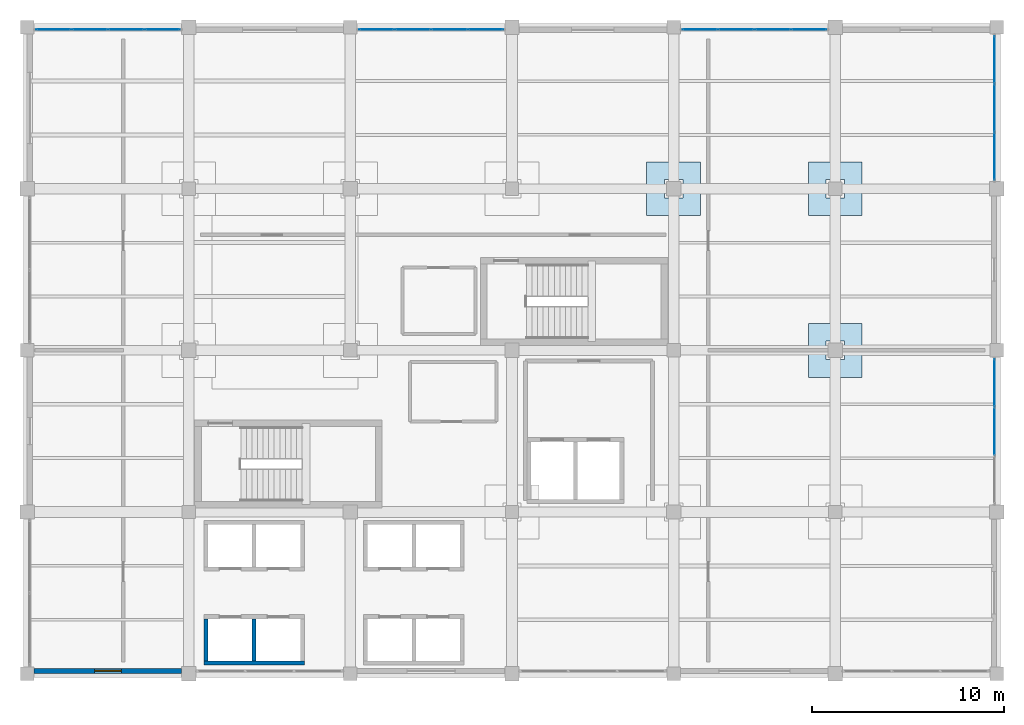
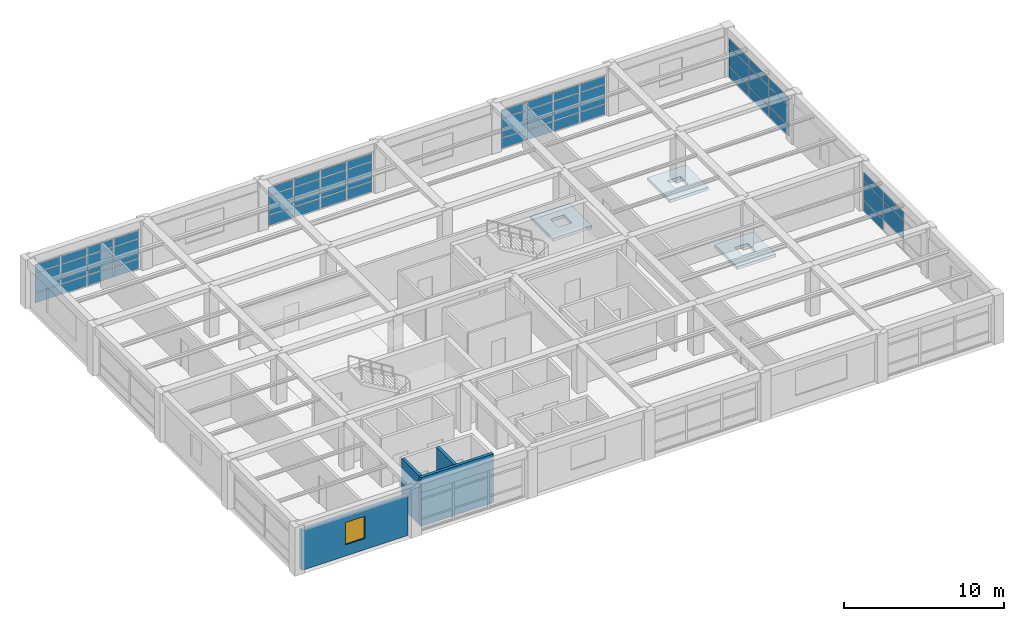
# One storey, part 27 of 31: 50 plates, 4 walls, 3 slabs, 1 window, 1 opening, 5 elements without a shape of their own.
"""IFC4 building model written with IfcOpenShell, lengths in metres."""

from ifc_helpers import new_model, si_unit, direction, frame, frame_2d, origin, origin_2d, place, context, subcontext, project, spatial, polyline, rectangle, outline, extrude, material, layer, layer_set, type_object, element, fill, aggregate, save


model = new_model("IFC4")

# Units and contexts
model_context = context("Model", 3, precision=1e-05, world=origin(), true_north=direction((0.0, 1.0)))
body_context = subcontext(model_context, "Body", "Model", "MODEL_VIEW")
ifc_project = project(units=[si_unit("LENGTHUNIT", "METRE"), si_unit("AREAUNIT", "SQUARE_METRE"), si_unit("VOLUMEUNIT", "CUBIC_METRE"), si_unit("PLANEANGLEUNIT", "RADIAN"), si_unit("MASSUNIT", "GRAM", prefix="KILO")], contexts=[model_context])

# Site, building, storey
site_placement = place(None, origin())
site = spatial("IfcSite", under=ifc_project, at=site_placement, CompositionType="ELEMENT")
building_placement = place(site_placement, origin())
building = spatial("IfcBuilding", under=site, at=building_placement, Name="Almacenes y Pasaje Nevantli", CompositionType="ELEMENT")
storey_placement = place(building_placement, frame((0.0, 0.0, 34.699951171875)))
storey = spatial("IfcBuildingStorey", under=building, at=storey_placement, Name="L08", CompositionType="ELEMENT", Elevation=34.699951171875)

# Curtain wall, plates
ifc_material_1 = material(Name="Thermally Broken Aluminium and Low-E Glass", Category="aluminium")
curtain_wall_type = type_object("IfcCurtainWallType", Name="CW-UNIT-TOWER", PredefinedType="USERDEFINED", material=ifc_material_1)
curtain_wall_1_placement = place(storey_placement, origin())
curtain_wall_1 = element("IfcCurtainWall", 1, at=curtain_wall_1_placement, inside=storey, type_object=curtain_wall_type, Name="L08 Tower North Boulevard Unitized Curtain Wall Bay 14", ObjectType="UNITIZED CURTAIN WALL", PredefinedType="USERDEFINED")
ifc_material_2 = material(Name="Acoustic Tempered Low-E Triple Glazed Unit", Category="glass")
ifc_layer_1 = layer(ifc_material_2, 0.0419921875)
ifc_layer_set_1 = layer_set([ifc_layer_1], Name="Acoustic Tempered Low-E Triple Glazed Unit")
plate_type = type_object("IfcPlateType", Name="PL-IGU-42", PredefinedType="CURTAIN_PANEL", material=ifc_layer_set_1)
plate_1_placement = place(storey_placement, frame((110.566162109375, 100.679931640625, 0.065185546875), z_axis=(0.0, 0.0, 1.0), x_axis=(1.0, 0.0, 0.0)))
plate_1 = element("IfcPlate", 2, at=plate_1_placement, type_object=plate_type, Name="CW-L08-121 panel 1.1", PredefinedType="CURTAIN_PANEL", context=body_context, shape_type="SweptSolid", body=[
    extrude(rectangle(XDim=1.802490234375, YDim=0.0419921875, at=origin_2d()), origin(), (0.0, 0.0, 1.0), 0.75244140625),
])
plate_2_placement = place(storey_placement, frame((110.566162109375, 100.679931640625, 0.882568359375), z_axis=(0.0, 0.0, 1.0), x_axis=(1.0, 0.0, 0.0)))
plate_2 = element("IfcPlate", 3, at=plate_2_placement, type_object=plate_type, Name="CW-L08-121 panel 1.2", PredefinedType="CURTAIN_PANEL", context=body_context, shape_type="SweptSolid", body=[
    extrude(rectangle(XDim=1.802490234375, YDim=0.0419921875, at=origin_2d()), origin(), (0.0, 0.0, 1.0), 1.43505859375),
])
plate_3_placement = place(storey_placement, frame((110.566162109375, 100.679931640625, 2.38232421875), z_axis=(0.0, 0.0, 1.0), x_axis=(1.0, 0.0, 0.0)))
plate_3 = element("IfcPlate", 4, at=plate_3_placement, type_object=plate_type, Name="CW-L08-121 panel 1.3", PredefinedType="CURTAIN_PANEL", context=body_context, shape_type="SweptSolid", body=[
    extrude(rectangle(XDim=1.802490234375, YDim=0.0419921875, at=origin_2d()), origin(), (0.0, 0.0, 1.0), 0.592529296875),
])
plate_4_placement = place(storey_placement, frame((112.449951171875, 100.679931640625, 0.065185546875), z_axis=(0.0, 0.0, 1.0), x_axis=(1.0, 0.0, 0.0)))
plate_4 = element("IfcPlate", 5, at=plate_4_placement, type_object=plate_type, Name="CW-L08-121 panel 2.1", PredefinedType="CURTAIN_PANEL", context=body_context, shape_type="SweptSolid", body=[
    extrude(rectangle(XDim=1.8349609375, YDim=0.0419921875, at=origin_2d()), origin(), (0.0, 0.0, 1.0), 0.75244140625),
])
plate_5_placement = place(storey_placement, frame((112.449951171875, 100.679931640625, 0.882568359375), z_axis=(0.0, 0.0, 1.0), x_axis=(1.0, 0.0, 0.0)))
plate_5 = element("IfcPlate", 6, at=plate_5_placement, type_object=plate_type, Name="CW-L08-121 panel 2.2", PredefinedType="CURTAIN_PANEL", context=body_context, shape_type="SweptSolid", body=[
    extrude(rectangle(XDim=1.8349609375, YDim=0.0419921875, at=origin_2d()), origin(), (0.0, 0.0, 1.0), 1.43505859375),
])
plate_6_placement = place(storey_placement, frame((112.449951171875, 100.679931640625, 2.38232421875), z_axis=(0.0, 0.0, 1.0), x_axis=(1.0, 0.0, 0.0)))
plate_6 = element("IfcPlate", 7, at=plate_6_placement, type_object=plate_type, Name="CW-L08-121 panel 2.3", PredefinedType="CURTAIN_PANEL", context=body_context, shape_type="SweptSolid", body=[
    extrude(rectangle(XDim=1.8349609375, YDim=0.0419921875, at=origin_2d()), origin(), (0.0, 0.0, 1.0), 0.592529296875),
])
plate_7_placement = place(storey_placement, frame((114.35009765625, 100.679931640625, 0.065185546875), z_axis=(0.0, 0.0, 1.0), x_axis=(1.0, 0.0, 0.0)))
plate_7 = element("IfcPlate", 8, at=plate_7_placement, type_object=plate_type, Name="CW-L08-121 panel 3.1", PredefinedType="CURTAIN_PANEL", context=body_context, shape_type="SweptSolid", body=[
    extrude(rectangle(XDim=1.8349609375, YDim=0.0419921875, at=origin_2d()), origin(), (0.0, 0.0, 1.0), 0.75244140625),
])
plate_8_placement = place(storey_placement, frame((114.35009765625, 100.679931640625, 0.882568359375), z_axis=(0.0, 0.0, 1.0), x_axis=(1.0, 0.0, 0.0)))
plate_8 = element("IfcPlate", 9, at=plate_8_placement, type_object=plate_type, Name="CW-L08-121 panel 3.2", PredefinedType="CURTAIN_PANEL", context=body_context, shape_type="SweptSolid", body=[
    extrude(rectangle(XDim=1.8349609375, YDim=0.0419921875, at=origin_2d()), origin(), (0.0, 0.0, 1.0), 1.43505859375),
])
plate_9_placement = place(storey_placement, frame((114.35009765625, 100.679931640625, 2.38232421875), z_axis=(0.0, 0.0, 1.0), x_axis=(1.0, 0.0, 0.0)))
plate_9 = element("IfcPlate", 10, at=plate_9_placement, type_object=plate_type, Name="CW-L08-121 panel 3.3", PredefinedType="CURTAIN_PANEL", context=body_context, shape_type="SweptSolid", body=[
    extrude(rectangle(XDim=1.8349609375, YDim=0.0419921875, at=origin_2d()), origin(), (0.0, 0.0, 1.0), 0.592529296875),
])
plate_10_placement = place(storey_placement, frame((116.233642578125, 100.679931640625, 0.065185546875), z_axis=(0.0, 0.0, 1.0), x_axis=(1.0, 0.0, 0.0)))
plate_10 = element("IfcPlate", 11, at=plate_10_placement, type_object=plate_type, Name="CW-L08-121 panel 4.1", PredefinedType="CURTAIN_PANEL", context=body_context, shape_type="SweptSolid", body=[
    extrude(rectangle(XDim=1.802490234375, YDim=0.0419921875, at=origin_2d()), origin(), (0.0, 0.0, 1.0), 0.75244140625),
])
plate_11_placement = place(storey_placement, frame((116.233642578125, 100.679931640625, 0.882568359375), z_axis=(0.0, 0.0, 1.0), x_axis=(1.0, 0.0, 0.0)))
plate_11 = element("IfcPlate", 12, at=plate_11_placement, type_object=plate_type, Name="CW-L08-121 panel 4.2", PredefinedType="CURTAIN_PANEL", context=body_context, shape_type="SweptSolid", body=[
    extrude(rectangle(XDim=1.802490234375, YDim=0.0419921875, at=origin_2d()), origin(), (0.0, 0.0, 1.0), 1.43505859375),
])
plate_12_placement = place(storey_placement, frame((116.233642578125, 100.679931640625, 2.38232421875), z_axis=(0.0, 0.0, 1.0), x_axis=(1.0, 0.0, 0.0)))
plate_12 = element("IfcPlate", 13, at=plate_12_placement, type_object=plate_type, Name="CW-L08-121 panel 4.3", PredefinedType="CURTAIN_PANEL", context=body_context, shape_type="SweptSolid", body=[
    extrude(rectangle(XDim=1.802490234375, YDim=0.0419921875, at=origin_2d()), origin(), (0.0, 0.0, 1.0), 0.592529296875),
])
aggregate(curtain_wall_1, [plate_1, plate_2, plate_3, plate_4, plate_5, plate_6, plate_7, plate_8, plate_9, plate_10, plate_11, plate_12])

curtain_wall_2_placement = place(storey_placement, origin())
curtain_wall_2 = element("IfcCurtainWall", 14, at=curtain_wall_2_placement, inside=storey, type_object=curtain_wall_type, Name="L08 Tower North Boulevard Unitized Curtain Wall Bay 16", ObjectType="UNITIZED CURTAIN WALL", PredefinedType="USERDEFINED")
plate_13_placement = place(storey_placement, frame((127.3662109375, 100.679931640625, 0.065185546875), z_axis=(0.0, 0.0, 1.0), x_axis=(1.0, 0.0, 0.0)))
plate_13 = element("IfcPlate", 15, at=plate_13_placement, type_object=plate_type, Name="CW-L08-123 panel 1.1", PredefinedType="CURTAIN_PANEL", context=body_context, shape_type="SweptSolid", body=[
    extrude(rectangle(XDim=1.802490234375, YDim=0.0419921875, at=origin_2d()), origin(), (0.0, 0.0, 1.0), 0.75244140625),
])
plate_14_placement = place(storey_placement, frame((127.3662109375, 100.679931640625, 0.882568359375), z_axis=(0.0, 0.0, 1.0), x_axis=(1.0, 0.0, 0.0)))
plate_14 = element("IfcPlate", 16, at=plate_14_placement, type_object=plate_type, Name="CW-L08-123 panel 1.2", PredefinedType="CURTAIN_PANEL", context=body_context, shape_type="SweptSolid", body=[
    extrude(rectangle(XDim=1.802490234375, YDim=0.0419921875, at=origin_2d()), origin(), (0.0, 0.0, 1.0), 1.43505859375),
])
plate_15_placement = place(storey_placement, frame((127.3662109375, 100.679931640625, 2.38232421875), z_axis=(0.0, 0.0, 1.0), x_axis=(1.0, 0.0, 0.0)))
plate_15 = element("IfcPlate", 17, at=plate_15_placement, type_object=plate_type, Name="CW-L08-123 panel 1.3", PredefinedType="CURTAIN_PANEL", context=body_context, shape_type="SweptSolid", body=[
    extrude(rectangle(XDim=1.802490234375, YDim=0.0419921875, at=origin_2d()), origin(), (0.0, 0.0, 1.0), 0.592529296875),
])
plate_16_placement = place(storey_placement, frame((129.25, 100.679931640625, 0.065185546875), z_axis=(0.0, 0.0, 1.0), x_axis=(1.0, 0.0, 0.0)))
plate_16 = element("IfcPlate", 18, at=plate_16_placement, type_object=plate_type, Name="CW-L08-123 panel 2.1", PredefinedType="CURTAIN_PANEL", context=body_context, shape_type="SweptSolid", body=[
    extrude(rectangle(XDim=1.8349609375, YDim=0.0419921875, at=origin_2d()), origin(), (0.0, 0.0, 1.0), 0.75244140625),
])
plate_17_placement = place(storey_placement, frame((129.25, 100.679931640625, 0.882568359375), z_axis=(0.0, 0.0, 1.0), x_axis=(1.0, 0.0, 0.0)))
plate_17 = element("IfcPlate", 19, at=plate_17_placement, type_object=plate_type, Name="CW-L08-123 panel 2.2", PredefinedType="CURTAIN_PANEL", context=body_context, shape_type="SweptSolid", body=[
    extrude(rectangle(XDim=1.8349609375, YDim=0.0419921875, at=origin_2d()), origin(), (0.0, 0.0, 1.0), 1.43505859375),
])
plate_18_placement = place(storey_placement, frame((129.25, 100.679931640625, 2.38232421875), z_axis=(0.0, 0.0, 1.0), x_axis=(1.0, 0.0, 0.0)))
plate_18 = element("IfcPlate", 20, at=plate_18_placement, type_object=plate_type, Name="CW-L08-123 panel 2.3", PredefinedType="CURTAIN_PANEL", context=body_context, shape_type="SweptSolid", body=[
    extrude(rectangle(XDim=1.8349609375, YDim=0.0419921875, at=origin_2d()), origin(), (0.0, 0.0, 1.0), 0.592529296875),
])
plate_19_placement = place(storey_placement, frame((131.14990234375, 100.679931640625, 0.065185546875), z_axis=(0.0, 0.0, 1.0), x_axis=(1.0, 0.0, 0.0)))
plate_19 = element("IfcPlate", 21, at=plate_19_placement, type_object=plate_type, Name="CW-L08-123 panel 3.1", PredefinedType="CURTAIN_PANEL", context=body_context, shape_type="SweptSolid", body=[
    extrude(rectangle(XDim=1.8349609375, YDim=0.0419921875, at=origin_2d()), origin(), (0.0, 0.0, 1.0), 0.75244140625),
])
plate_20_placement = place(storey_placement, frame((131.14990234375, 100.679931640625, 0.882568359375), z_axis=(0.0, 0.0, 1.0), x_axis=(1.0, 0.0, 0.0)))
plate_20 = element("IfcPlate", 22, at=plate_20_placement, type_object=plate_type, Name="CW-L08-123 panel 3.2", PredefinedType="CURTAIN_PANEL", context=body_context, shape_type="SweptSolid", body=[
    extrude(rectangle(XDim=1.8349609375, YDim=0.0419921875, at=origin_2d()), origin(), (0.0, 0.0, 1.0), 1.43505859375),
])
plate_21_placement = place(storey_placement, frame((131.14990234375, 100.679931640625, 2.38232421875), z_axis=(0.0, 0.0, 1.0), x_axis=(1.0, 0.0, 0.0)))
plate_21 = element("IfcPlate", 23, at=plate_21_placement, type_object=plate_type, Name="CW-L08-123 panel 3.3", PredefinedType="CURTAIN_PANEL", context=body_context, shape_type="SweptSolid", body=[
    extrude(rectangle(XDim=1.8349609375, YDim=0.0419921875, at=origin_2d()), origin(), (0.0, 0.0, 1.0), 0.592529296875),
])
plate_22_placement = place(storey_placement, frame((133.03369140625, 100.679931640625, 0.065185546875), z_axis=(0.0, 0.0, 1.0), x_axis=(1.0, 0.0, 0.0)))
plate_22 = element("IfcPlate", 24, at=plate_22_placement, type_object=plate_type, Name="CW-L08-123 panel 4.1", PredefinedType="CURTAIN_PANEL", context=body_context, shape_type="SweptSolid", body=[
    extrude(rectangle(XDim=1.802490234375, YDim=0.0419921875, at=origin_2d()), origin(), (0.0, 0.0, 1.0), 0.75244140625),
])
plate_23_placement = place(storey_placement, frame((133.03369140625, 100.679931640625, 0.882568359375), z_axis=(0.0, 0.0, 1.0), x_axis=(1.0, 0.0, 0.0)))
plate_23 = element("IfcPlate", 25, at=plate_23_placement, type_object=plate_type, Name="CW-L08-123 panel 4.2", PredefinedType="CURTAIN_PANEL", context=body_context, shape_type="SweptSolid", body=[
    extrude(rectangle(XDim=1.802490234375, YDim=0.0419921875, at=origin_2d()), origin(), (0.0, 0.0, 1.0), 1.43505859375),
])
plate_24_placement = place(storey_placement, frame((133.03369140625, 100.679931640625, 2.38232421875), z_axis=(0.0, 0.0, 1.0), x_axis=(1.0, 0.0, 0.0)))
plate_24 = element("IfcPlate", 26, at=plate_24_placement, type_object=plate_type, Name="CW-L08-123 panel 4.3", PredefinedType="CURTAIN_PANEL", context=body_context, shape_type="SweptSolid", body=[
    extrude(rectangle(XDim=1.802490234375, YDim=0.0419921875, at=origin_2d()), origin(), (0.0, 0.0, 1.0), 0.592529296875),
])
aggregate(curtain_wall_2, [plate_13, plate_14, plate_15, plate_16, plate_17, plate_18, plate_19, plate_20, plate_21, plate_22, plate_23, plate_24])

curtain_wall_3_placement = place(storey_placement, origin())
curtain_wall_3 = element("IfcCurtainWall", 27, at=curtain_wall_3_placement, inside=storey, type_object=curtain_wall_type, Name="L08 Tower North Boulevard Unitized Curtain Wall Bay 18", ObjectType="UNITIZED CURTAIN WALL", PredefinedType="USERDEFINED")
plate_25_placement = place(storey_placement, frame((144.166259765625, 100.679931640625, 0.065185546875), z_axis=(0.0, 0.0, 1.0), x_axis=(1.0, 0.0, 0.0)))
plate_25 = element("IfcPlate", 28, at=plate_25_placement, type_object=plate_type, Name="CW-L08-125 panel 1.1", PredefinedType="CURTAIN_PANEL", context=body_context, shape_type="SweptSolid", body=[
    extrude(rectangle(XDim=1.802490234375, YDim=0.0419921875, at=origin_2d()), origin(), (0.0, 0.0, 1.0), 0.75244140625),
])
plate_26_placement = place(storey_placement, frame((144.166259765625, 100.679931640625, 0.882568359375), z_axis=(0.0, 0.0, 1.0), x_axis=(1.0, 0.0, 0.0)))
plate_26 = element("IfcPlate", 29, at=plate_26_placement, type_object=plate_type, Name="CW-L08-125 panel 1.2", PredefinedType="CURTAIN_PANEL", context=body_context, shape_type="SweptSolid", body=[
    extrude(rectangle(XDim=1.802490234375, YDim=0.0419921875, at=origin_2d()), origin(), (0.0, 0.0, 1.0), 1.43505859375),
])
plate_27_placement = place(storey_placement, frame((144.166259765625, 100.679931640625, 2.38232421875), z_axis=(0.0, 0.0, 1.0), x_axis=(1.0, 0.0, 0.0)))
plate_27 = element("IfcPlate", 30, at=plate_27_placement, type_object=plate_type, Name="CW-L08-125 panel 1.3", PredefinedType="CURTAIN_PANEL", context=body_context, shape_type="SweptSolid", body=[
    extrude(rectangle(XDim=1.802490234375, YDim=0.0419921875, at=origin_2d()), origin(), (0.0, 0.0, 1.0), 0.592529296875),
])
plate_28_placement = place(storey_placement, frame((146.050048828125, 100.679931640625, 0.065185546875), z_axis=(0.0, 0.0, 1.0), x_axis=(1.0, 0.0, 0.0)))
plate_28 = element("IfcPlate", 31, at=plate_28_placement, type_object=plate_type, Name="CW-L08-125 panel 2.1", PredefinedType="CURTAIN_PANEL", context=body_context, shape_type="SweptSolid", body=[
    extrude(rectangle(XDim=1.8349609375, YDim=0.0419921875, at=origin_2d()), origin(), (0.0, 0.0, 1.0), 0.75244140625),
])
plate_29_placement = place(storey_placement, frame((146.050048828125, 100.679931640625, 0.882568359375), z_axis=(0.0, 0.0, 1.0), x_axis=(1.0, 0.0, 0.0)))
plate_29 = element("IfcPlate", 32, at=plate_29_placement, type_object=plate_type, Name="CW-L08-125 panel 2.2", PredefinedType="CURTAIN_PANEL", context=body_context, shape_type="SweptSolid", body=[
    extrude(rectangle(XDim=1.8349609375, YDim=0.0419921875, at=origin_2d()), origin(), (0.0, 0.0, 1.0), 1.43505859375),
])
plate_30_placement = place(storey_placement, frame((146.050048828125, 100.679931640625, 2.38232421875), z_axis=(0.0, 0.0, 1.0), x_axis=(1.0, 0.0, 0.0)))
plate_30 = element("IfcPlate", 33, at=plate_30_placement, type_object=plate_type, Name="CW-L08-125 panel 2.3", PredefinedType="CURTAIN_PANEL", context=body_context, shape_type="SweptSolid", body=[
    extrude(rectangle(XDim=1.8349609375, YDim=0.0419921875, at=origin_2d()), origin(), (0.0, 0.0, 1.0), 0.592529296875),
])
plate_31_placement = place(storey_placement, frame((147.949951171875, 100.679931640625, 0.065185546875), z_axis=(0.0, 0.0, 1.0), x_axis=(1.0, 0.0, 0.0)))
plate_31 = element("IfcPlate", 34, at=plate_31_placement, type_object=plate_type, Name="CW-L08-125 panel 3.1", PredefinedType="CURTAIN_PANEL", context=body_context, shape_type="SweptSolid", body=[
    extrude(rectangle(XDim=1.8349609375, YDim=0.0419921875, at=origin_2d()), origin(), (0.0, 0.0, 1.0), 0.75244140625),
])
plate_32_placement = place(storey_placement, frame((147.949951171875, 100.679931640625, 0.882568359375), z_axis=(0.0, 0.0, 1.0), x_axis=(1.0, 0.0, 0.0)))
plate_32 = element("IfcPlate", 35, at=plate_32_placement, type_object=plate_type, Name="CW-L08-125 panel 3.2", PredefinedType="CURTAIN_PANEL", context=body_context, shape_type="SweptSolid", body=[
    extrude(rectangle(XDim=1.8349609375, YDim=0.0419921875, at=origin_2d()), origin(), (0.0, 0.0, 1.0), 1.43505859375),
])
plate_33_placement = place(storey_placement, frame((147.949951171875, 100.679931640625, 2.38232421875), z_axis=(0.0, 0.0, 1.0), x_axis=(1.0, 0.0, 0.0)))
plate_33 = element("IfcPlate", 36, at=plate_33_placement, type_object=plate_type, Name="CW-L08-125 panel 3.3", PredefinedType="CURTAIN_PANEL", context=body_context, shape_type="SweptSolid", body=[
    extrude(rectangle(XDim=1.8349609375, YDim=0.0419921875, at=origin_2d()), origin(), (0.0, 0.0, 1.0), 0.592529296875),
])
plate_34_placement = place(storey_placement, frame((149.833740234375, 100.679931640625, 0.065185546875), z_axis=(0.0, 0.0, 1.0), x_axis=(1.0, 0.0, 0.0)))
plate_34 = element("IfcPlate", 37, at=plate_34_placement, type_object=plate_type, Name="CW-L08-125 panel 4.1", PredefinedType="CURTAIN_PANEL", context=body_context, shape_type="SweptSolid", body=[
    extrude(rectangle(XDim=1.802490234375, YDim=0.0419921875, at=origin_2d()), origin(), (0.0, 0.0, 1.0), 0.75244140625),
])
plate_35_placement = place(storey_placement, frame((149.833740234375, 100.679931640625, 0.882568359375), z_axis=(0.0, 0.0, 1.0), x_axis=(1.0, 0.0, 0.0)))
plate_35 = element("IfcPlate", 38, at=plate_35_placement, type_object=plate_type, Name="CW-L08-125 panel 4.2", PredefinedType="CURTAIN_PANEL", context=body_context, shape_type="SweptSolid", body=[
    extrude(rectangle(XDim=1.802490234375, YDim=0.0419921875, at=origin_2d()), origin(), (0.0, 0.0, 1.0), 1.43505859375),
])
plate_36_placement = place(storey_placement, frame((149.833740234375, 100.679931640625, 2.38232421875), z_axis=(0.0, 0.0, 1.0), x_axis=(1.0, 0.0, 0.0)))
plate_36 = element("IfcPlate", 39, at=plate_36_placement, type_object=plate_type, Name="CW-L08-125 panel 4.3", PredefinedType="CURTAIN_PANEL", context=body_context, shape_type="SweptSolid", body=[
    extrude(rectangle(XDim=1.802490234375, YDim=0.0419921875, at=origin_2d()), origin(), (0.0, 0.0, 1.0), 0.592529296875),
])
aggregate(curtain_wall_3, [plate_25, plate_26, plate_27, plate_28, plate_29, plate_30, plate_31, plate_32, plate_33, plate_34, plate_35, plate_36])

curtain_wall_4_placement = place(storey_placement, origin())
curtain_wall_4 = element("IfcCurtainWall", 40, at=curtain_wall_4_placement, inside=storey, type_object=curtain_wall_type, Name="L08 Tower East Curtain Wall Bay 10", ObjectType="UNITIZED CURTAIN WALL", PredefinedType="USERDEFINED")
plate_37_placement = place(storey_placement, frame((159.47998046875, 79.800048828125, 0.880126953125), z_axis=(0.0, 0.0, 1.0), x_axis=(0.0, 1.0, 0.0)))
plate_37 = element("IfcPlate", 41, at=plate_37_placement, type_object=plate_type, Name="CW-L08-128 panel 2.2", PredefinedType="CURTAIN_PANEL", context=body_context, shape_type="SweptSolid", body=[
    extrude(rectangle(XDim=2.473388671875, YDim=0.0419921875, at=origin_2d()), origin(), (0.0, 0.0, 1.0), 1.43994140625),
])
plate_38_placement = place(storey_placement, frame((159.47998046875, 79.800048828125, 2.3798828125), z_axis=(0.0, 0.0, 1.0), x_axis=(0.0, 1.0, 0.0)))
plate_38 = element("IfcPlate", 42, at=plate_38_placement, type_object=plate_type, Name="CW-L08-128 panel 2.3", PredefinedType="CURTAIN_PANEL", context=body_context, shape_type="SweptSolid", body=[
    extrude(rectangle(XDim=2.473388671875, YDim=0.0419921875, at=origin_2d()), origin(), (0.0, 0.0, 1.0), 0.60009765625),
])
plate_39_placement = place(storey_placement, frame((159.47998046875, 82.318359375, 0.06005859375), z_axis=(0.0, 0.0, 1.0), x_axis=(0.0, 1.0, 0.0)))
plate_39 = element("IfcPlate", 43, at=plate_39_placement, type_object=plate_type, Name="CW-L08-128 panel 3.1", PredefinedType="CURTAIN_PANEL", context=body_context, shape_type="SweptSolid", body=[
    extrude(rectangle(XDim=2.443359375, YDim=0.0419921875, at=origin_2d()), origin(), (0.0, 0.0, 1.0), 0.760009765625),
])
plate_40_placement = place(storey_placement, frame((159.47998046875, 82.318359375, 0.880126953125), z_axis=(0.0, 0.0, 1.0), x_axis=(0.0, 1.0, 0.0)))
plate_40 = element("IfcPlate", 44, at=plate_40_placement, type_object=plate_type, Name="CW-L08-128 panel 3.2", PredefinedType="CURTAIN_PANEL", context=body_context, shape_type="SweptSolid", body=[
    extrude(rectangle(XDim=2.443359375, YDim=0.0419921875, at=origin_2d()), origin(), (0.0, 0.0, 1.0), 1.43994140625),
])
plate_41_placement = place(storey_placement, frame((159.47998046875, 82.318359375, 2.3798828125), z_axis=(0.0, 0.0, 1.0), x_axis=(0.0, 1.0, 0.0)))
plate_41 = element("IfcPlate", 45, at=plate_41_placement, type_object=plate_type, Name="CW-L08-128 panel 3.3", PredefinedType="CURTAIN_PANEL", context=body_context, shape_type="SweptSolid", body=[
    extrude(rectangle(XDim=2.443359375, YDim=0.0419921875, at=origin_2d()), origin(), (0.0, 0.0, 1.0), 0.60009765625),
])
aggregate(curtain_wall_4, [plate_37, plate_38, plate_39, plate_40, plate_41])

curtain_wall_5_placement = place(storey_placement, origin())
curtain_wall_5 = element("IfcCurtainWall", 46, at=curtain_wall_5_placement, inside=storey, type_object=curtain_wall_type, Name="L08 Tower East Curtain Wall Bay 12", ObjectType="UNITIZED CURTAIN WALL", PredefinedType="USERDEFINED")
plate_42_placement = place(storey_placement, frame((159.47998046875, 94.081787109375, 0.06005859375), z_axis=(0.0, 0.0, 1.0), x_axis=(0.0, 1.0, 0.0)))
plate_42 = element("IfcPlate", 47, at=plate_42_placement, type_object=plate_type, Name="CW-L08-130 panel 1.1", PredefinedType="CURTAIN_PANEL", context=body_context, shape_type="SweptSolid", body=[
    extrude(rectangle(XDim=2.443359375, YDim=0.0419921875, at=origin_2d()), origin(), (0.0, 0.0, 1.0), 0.760009765625),
])
plate_43_placement = place(storey_placement, frame((159.47998046875, 94.081787109375, 0.880126953125), z_axis=(0.0, 0.0, 1.0), x_axis=(0.0, 1.0, 0.0)))
plate_43 = element("IfcPlate", 48, at=plate_43_placement, type_object=plate_type, Name="CW-L08-130 panel 1.2", PredefinedType="CURTAIN_PANEL", context=body_context, shape_type="SweptSolid", body=[
    extrude(rectangle(XDim=2.443359375, YDim=0.0419921875, at=origin_2d()), origin(), (0.0, 0.0, 1.0), 1.43994140625),
])
plate_44_placement = place(storey_placement, frame((159.47998046875, 94.081787109375, 2.3798828125), z_axis=(0.0, 0.0, 1.0), x_axis=(0.0, 1.0, 0.0)))
plate_44 = element("IfcPlate", 49, at=plate_44_placement, type_object=plate_type, Name="CW-L08-130 panel 1.3", PredefinedType="CURTAIN_PANEL", context=body_context, shape_type="SweptSolid", body=[
    extrude(rectangle(XDim=2.443359375, YDim=0.0419921875, at=origin_2d()), origin(), (0.0, 0.0, 1.0), 0.60009765625),
])
plate_45_placement = place(storey_placement, frame((159.47998046875, 96.60009765625, 0.06005859375), z_axis=(0.0, 0.0, 1.0), x_axis=(0.0, 1.0, 0.0)))
plate_45 = element("IfcPlate", 50, at=plate_45_placement, type_object=plate_type, Name="CW-L08-130 panel 2.1", PredefinedType="CURTAIN_PANEL", context=body_context, shape_type="SweptSolid", body=[
    extrude(rectangle(XDim=2.473388671875, YDim=0.0419921875, at=origin_2d()), origin(), (0.0, 0.0, 1.0), 0.760009765625),
])
plate_46_placement = place(storey_placement, frame((159.47998046875, 96.60009765625, 0.880126953125), z_axis=(0.0, 0.0, 1.0), x_axis=(0.0, 1.0, 0.0)))
plate_46 = element("IfcPlate", 51, at=plate_46_placement, type_object=plate_type, Name="CW-L08-130 panel 2.2", PredefinedType="CURTAIN_PANEL", context=body_context, shape_type="SweptSolid", body=[
    extrude(rectangle(XDim=2.473388671875, YDim=0.0419921875, at=origin_2d()), origin(), (0.0, 0.0, 1.0), 1.43994140625),
])
plate_47_placement = place(storey_placement, frame((159.47998046875, 96.60009765625, 2.3798828125), z_axis=(0.0, 0.0, 1.0), x_axis=(0.0, 1.0, 0.0)))
plate_47 = element("IfcPlate", 52, at=plate_47_placement, type_object=plate_type, Name="CW-L08-130 panel 2.3", PredefinedType="CURTAIN_PANEL", context=body_context, shape_type="SweptSolid", body=[
    extrude(rectangle(XDim=2.473388671875, YDim=0.0419921875, at=origin_2d()), origin(), (0.0, 0.0, 1.0), 0.60009765625),
])
plate_48_placement = place(storey_placement, frame((159.47998046875, 99.118408203125, 0.06005859375), z_axis=(0.0, 0.0, 1.0), x_axis=(0.0, 1.0, 0.0)))
plate_48 = element("IfcPlate", 53, at=plate_48_placement, type_object=plate_type, Name="CW-L08-130 panel 3.1", PredefinedType="CURTAIN_PANEL", context=body_context, shape_type="SweptSolid", body=[
    extrude(rectangle(XDim=2.443359375, YDim=0.0419921875, at=origin_2d()), origin(), (0.0, 0.0, 1.0), 0.760009765625),
])
plate_49_placement = place(storey_placement, frame((159.47998046875, 99.118408203125, 0.880126953125), z_axis=(0.0, 0.0, 1.0), x_axis=(0.0, 1.0, 0.0)))
plate_49 = element("IfcPlate", 54, at=plate_49_placement, type_object=plate_type, Name="CW-L08-130 panel 3.2", PredefinedType="CURTAIN_PANEL", context=body_context, shape_type="SweptSolid", body=[
    extrude(rectangle(XDim=2.443359375, YDim=0.0419921875, at=origin_2d()), origin(), (0.0, 0.0, 1.0), 1.43994140625),
])
plate_50_placement = place(storey_placement, frame((159.47998046875, 99.118408203125, 2.3798828125), z_axis=(0.0, 0.0, 1.0), x_axis=(0.0, 1.0, 0.0)))
plate_50 = element("IfcPlate", 55, at=plate_50_placement, type_object=plate_type, Name="CW-L08-130 panel 3.3", PredefinedType="CURTAIN_PANEL", context=body_context, shape_type="SweptSolid", body=[
    extrude(rectangle(XDim=2.443359375, YDim=0.0419921875, at=origin_2d()), origin(), (0.0, 0.0, 1.0), 0.60009765625),
])
aggregate(curtain_wall_5, [plate_42, plate_43, plate_44, plate_45, plate_46, plate_47, plate_48, plate_49, plate_50])

# Slabs
ifc_material_3 = material(Name="Concrete C35/45", Category="concrete")
ifc_layer_2 = layer(ifc_material_3, 0.22998046875)
ifc_layer_set_2 = layer_set([ifc_layer_2], Name="Concrete C35/45")
slab_type = type_object("IfcSlabType", Name="SLB-DP-230", PredefinedType="USERDEFINED", material=ifc_layer_set_2)
slab_1_placement = place(storey_placement, frame((0.0, 0.0, -0.510009765625)))
element("IfcSlab", 56, at=slab_1_placement, inside=storey, type_object=slab_type, Name="L08 Punching-Shear Drop Panel DP-01 #1128", ObjectType="DROP PANEL", PredefinedType="USERDEFINED", context=body_context, shape_type="SweptSolid", body=[
    extrude(outline(polyline([(141.39990234375, 91.0), (144.199951171875, 91.0), (144.199951171875, 93.800048828125), (141.39990234375, 93.800048828125), (141.39990234375, 91.0)]), holes=[polyline([(142.320068359375, 91.919921875), (143.280029296875, 91.919921875), (143.280029296875, 92.8798828125), (142.320068359375, 92.8798828125), (142.320068359375, 91.919921875)])]), origin(), (0.0, 0.0, 1.0), 0.22998046875),
])
slab_2_placement = place(storey_placement, frame((0.0, 0.0, -0.510009765625)))
element("IfcSlab", 57, at=slab_2_placement, inside=storey, type_object=slab_type, Name="L08 Punching-Shear Drop Panel DP-01 #1130", ObjectType="DROP PANEL", PredefinedType="USERDEFINED", context=body_context, shape_type="SweptSolid", body=[
    extrude(outline(polyline([(149.800048828125, 82.60009765625), (152.60009765625, 82.60009765625), (152.60009765625, 85.39990234375), (149.800048828125, 85.39990234375), (149.800048828125, 82.60009765625)]), holes=[polyline([(150.719970703125, 83.52001953125), (151.679931640625, 83.52001953125), (151.679931640625, 84.47998046875), (150.719970703125, 84.47998046875), (150.719970703125, 83.52001953125)])]), origin(), (0.0, 0.0, 1.0), 0.22998046875),
])
slab_3_placement = place(storey_placement, frame((0.0, 0.0, -0.510009765625)))
element("IfcSlab", 58, at=slab_3_placement, inside=storey, type_object=slab_type, Name="L08 Punching-Shear Drop Panel DP-01 #1131", ObjectType="DROP PANEL", PredefinedType="USERDEFINED", context=body_context, shape_type="SweptSolid", body=[
    extrude(outline(polyline([(149.800048828125, 91.0), (152.60009765625, 91.0), (152.60009765625, 93.800048828125), (149.800048828125, 93.800048828125), (149.800048828125, 91.0)]), holes=[polyline([(150.719970703125, 91.919921875), (151.679931640625, 91.919921875), (151.679931640625, 92.8798828125), (150.719970703125, 92.8798828125), (150.719970703125, 91.919921875)])]), origin(), (0.0, 0.0, 1.0), 0.22998046875),
])

# Wall, opening, window
ifc_material_4 = material(Name="Cream Architectural Precast Concrete C35/45 Wall", Category="concrete")
ifc_layer_3 = layer(ifc_material_4, 0.260009765625)
ifc_layer_set_3 = layer_set([ifc_layer_3], Name="Cream Architectural Precast Concrete C35/45 Wall")
wall_type_1 = type_object("IfcWallType", Name="WL-EXT-PRECAST-260", PredefinedType="SOLIDWALL", material=ifc_layer_set_3)
wall_1_placement = place(storey_placement, frame((109.553955078125, 67.340087890625, 0.0), z_axis=(0.0, 0.0, 1.0), x_axis=(1.0, 0.0, 0.0)))
wall_1 = element("IfcWall", 59, at=wall_1_placement, inside=storey, type_object=wall_type_1, Name="L08 Tower South Precast Spandrel Wall Bay 14", PredefinedType="SOLIDWALL", context=body_context, shape_type="SweptSolid", body=[
    extrude(rectangle(XDim=7.66796875, YDim=0.260009765625, at=frame_2d((3.833984375, 0.0))), origin(), (0.0, 0.0, 1.0), 3.0400390625),
])
opening_placement = place(wall_1_placement, frame((3.14599609375, 0.0, 0.85009765625)))
opening = element("IfcOpeningElement", 60, at=opening_placement, cuts=wall_1, Name="Opening WT-34-212", PredefinedType="OPENING", context=body_context, shape_type="SweptSolid", body=[
    extrude(rectangle(XDim=1.39990234375, YDim=1.699951171875, at=frame_2d((0.699951171875, 0.85009765625))), frame((0.0, 0.139892578125, 0.0), z_axis=(0.0, -1.0, 0.0), x_axis=(1.0, 0.0, 0.0)), (0.0, 0.0, 1.0), 0.280029296875),
])
ifc_material_5 = material(Name="Thermally Broken Aluminium and Low-E Double Glazing", Category="aluminium")
window_type = type_object("IfcWindowType", Name="WN-TWR-1400x1700", PartitioningType="SINGLE_PANEL", PredefinedType="WINDOW", material=ifc_material_5)
window_placement = place(opening_placement, origin())
window = element("IfcWindow", 61, at=window_placement, inside=storey, type_object=window_type, Name="L08 Exterior Window WT-34 #212", OverallHeight=1.699951171875, OverallWidth=1.39990234375, PartitioningType="SINGLE_PANEL", PredefinedType="WINDOW", context=body_context, shape_type="SweptSolid", body=[
    extrude(rectangle(XDim=1.39990234375, YDim=1.699951171875, at=frame_2d((0.699951171875, 0.85009765625))), frame((0.0, 0.030029296875, 0.0), z_axis=(0.0, -1.0, 0.0), x_axis=(1.0, 0.0, 0.0)), (0.0, 0.0, 1.0), 0.06005859375),
])
fill(opening, window)

# Walls
ifc_material_6 = material(Name="Concrete C45/55", Category="concrete")
ifc_layer_4 = layer(ifc_material_6, 0.2099609375)
ifc_layer_set_4 = layer_set([ifc_layer_4], Name="Concrete C45/55")
wall_type_2 = type_object("IfcWallType", Name="WL-SHAFT-210", PredefinedType="SHEAR", material=ifc_layer_set_4)
wall_2_placement = place(storey_placement, frame((118.389892578125, 67.7451171875, 0.0), z_axis=(0.0, 0.0, 1.0), x_axis=(1.0, 0.0, 0.0)))
element("IfcWall", 62, at=wall_2_placement, inside=storey, type_object=wall_type_2, Name="L08 Lift Hoistway ELV-P05-ELV-P06 South Wall", PredefinedType="SHEAR", context=body_context, shape_type="SweptSolid", body=[
    extrude(rectangle(XDim=5.22021484375, YDim=0.2099609375, at=frame_2d((2.610107421875, 0.0))), origin(), (0.0, 0.0, 1.0), 3.719970703125),
])
for number, where, z_axis, x_axis, name in (
    (63, (118.4951171875, 67.85009765625, 0.0), (0.0, 0.0, 1.0), (0.0, 1.0, 0.0), "L08 Lift Hoistway ELV-P05 West Wall"),
    (64, (121.0, 67.85009765625, 0.0), (0.0, 0.0, 1.0), (0.0, 1.0, 0.0), "L08 Lift Hoistway Divider Wall ELV-P05/ELV-P06"),
):
    element("IfcWall", number, at=place(storey_placement, frame(where, z_axis=z_axis, x_axis=x_axis)), inside=storey, type_object=wall_type_2, Name=name, PredefinedType="SHEAR", context=body_context, shape_type="SweptSolid", body=[
        extrude(rectangle(XDim=2.199951171875, YDim=0.2099609375, at=frame_2d((1.10009765625, 0.0))), origin(), (0.0, 0.0, 1.0), 3.719970703125),
    ])

save(model, "model.ifc")
